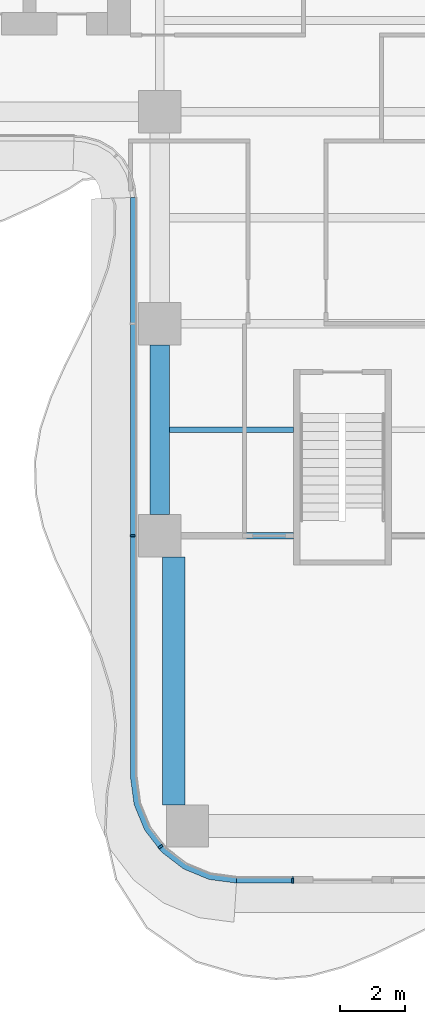
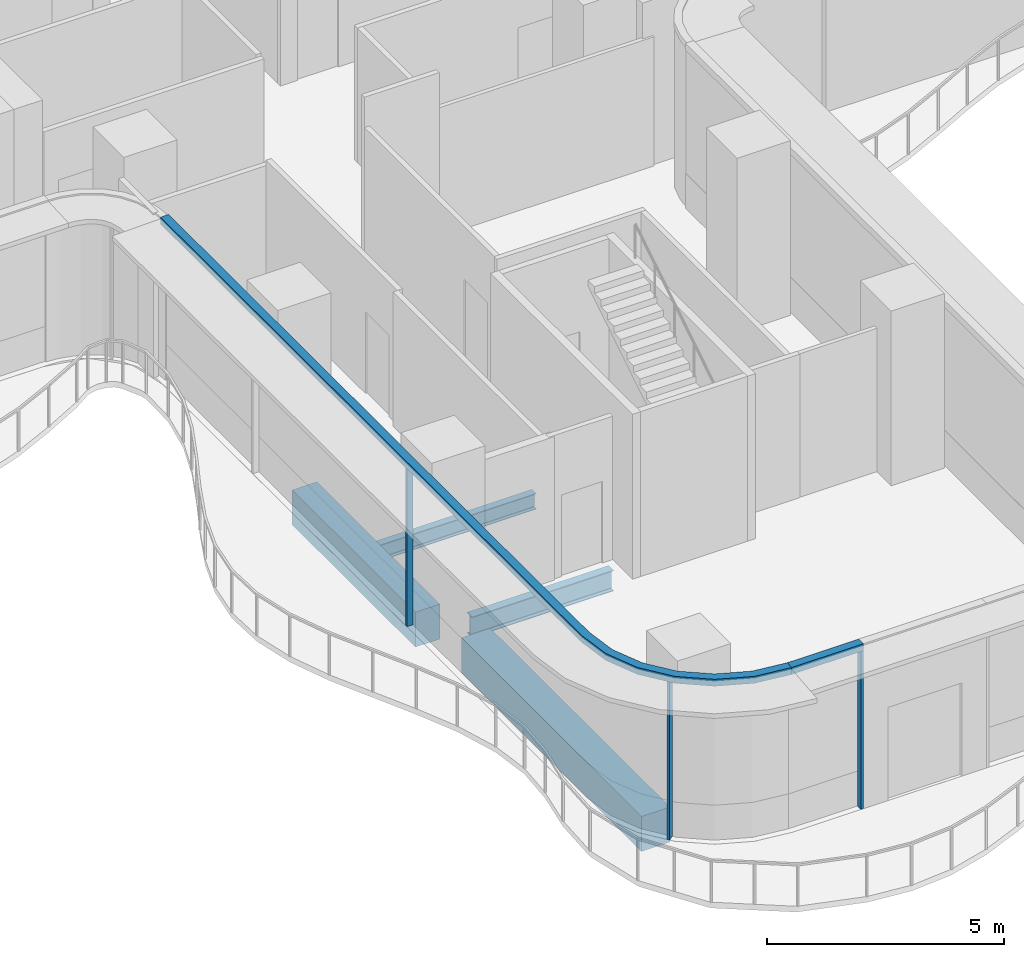
# One storey, part 2 of 21: 5 members, 4 beams, 2 elements without a shape of their own.
"""IFC4 building model written with IfcOpenShell, lengths in metres."""

from ifc_helpers import new_model, si_unit, direction, frame, origin, origin_2d, place, context, subcontext, project, spatial, polyline, rectangle, i_section, outline, extrude, source, transform, mapped, material, layer, layer_set, material_profile, profile_set, type_object, element, aggregate, save


model = new_model("IFC4")

# Units and contexts
model_context = context("Model", 3, precision=1e-05, world=origin(), true_north=direction((0.0, 1.0)))
body_context = subcontext(model_context, "Body", "Model", "MODEL_VIEW")
ifc_project = project(units=[si_unit("LENGTHUNIT", "METRE"), si_unit("AREAUNIT", "SQUARE_METRE"), si_unit("VOLUMEUNIT", "CUBIC_METRE"), si_unit("PLANEANGLEUNIT", "RADIAN"), si_unit("MASSUNIT", "GRAM", prefix="KILO")], contexts=[model_context])

# Site, building, storey
site_placement = place(None, origin())
site = spatial("IfcSite", under=ifc_project, at=site_placement, CompositionType="ELEMENT")
building_placement = place(site_placement, origin())
building = spatial("IfcBuilding", under=site, at=building_placement, Name="Trellis Farm Tower", CompositionType="ELEMENT")
storey_placement = place(building_placement, frame((0.0, 0.0, 102.0)))
storey = spatial("IfcBuildingStorey", under=building, at=storey_placement, Name="L21", CompositionType="ELEMENT", Elevation=102.0)

# Beams
ifc_material_1 = material(Name="Steel S355", Category="steel")
ifc_material_profile_1 = material_profile(ifc_material_1, i_section(OverallWidth=0.177978515625, OverallDepth=0.406494140625, WebThickness=0.0078125, FlangeThickness=0.0126953125, FilletRadius=0.01025390625, at=origin_2d()), Name="UB 406x178x60")
ifc_profile_set_1 = profile_set([ifc_material_profile_1], Name="Steel S355")
beam_type_1 = type_object("IfcBeamType", Name="UB 406x178x60 joist", PredefinedType="JOIST", material=ifc_profile_set_1)
shared_shape_1 = source(origin(), body_context, "Body", "SweptSolid", [
    extrude(i_section(OverallWidth=0.177978515625, OverallDepth=0.406494140625, WebThickness=0.0078125, FlangeThickness=0.0126953125, FilletRadius=0.01025390625, at=origin_2d()), origin(), (0.0, 0.0, 1.0), 3.800048828125),
])
beam_1_placement = place(storey_placement, frame((-5.300048828125, -15.35009765625, -0.453125), z_axis=(1.0, 0.0, 0.0), x_axis=(0.0, 1.0, 0.0)))
element("IfcBeam", 1, at=beam_1_placement, inside=storey, type_object=beam_type_1, Name="Floor beam", PredefinedType="JOIST", context=body_context, shape_type="MappedRepresentation", body=[
    mapped(shared_shape_1, transform((0.0, 0.0, 0.0))),
])
ifc_material_profile_2 = material_profile(ifc_material_1, i_section(OverallWidth=0.209228515625, OverallDepth=0.533203125, WebThickness=0.010009765625, FlangeThickness=0.015625, FilletRadius=0.0126953125, at=origin_2d()), Name="UB 533x210x92")
ifc_profile_set_2 = profile_set([ifc_material_profile_2], Name="Steel S355")
beam_type_2 = type_object("IfcBeamType", Name="UB 533x210x92", PredefinedType="BEAM", material=ifc_profile_set_2)
shared_shape_2 = source(origin(), body_context, "Body", "SweptSolid", [
    extrude(i_section(OverallWidth=0.209228515625, OverallDepth=0.533203125, WebThickness=0.010009765625, FlangeThickness=0.015625, FilletRadius=0.0126953125, at=origin_2d()), origin(), (0.0, 0.0, 1.0), 3.449951171875),
])
beam_2_placement = place(storey_placement, frame((-4.949951171875, -18.60009765625, -0.5166015625), z_axis=(1.0, 0.0, 0.0), x_axis=(0.0, 1.0, 0.0)))
element("IfcBeam", 2, at=beam_2_placement, inside=storey, type_object=beam_type_2, Name="Girder", PredefinedType="BEAM", context=body_context, shape_type="MappedRepresentation", body=[
    mapped(shared_shape_2, transform((0.0, 0.0, 0.0))),
])
ifc_material_2 = material(Name="Concrete C60/75", Category="concrete")
ifc_material_profile_3 = material_profile(ifc_material_2, rectangle(XDim=0.60009765625, YDim=0.89990234375, at=origin_2d()), Name="RC spandrel beam 600x900 C60/75")
ifc_profile_set_3 = profile_set([ifc_material_profile_3], Name="Concrete C60/75")
beam_type_3 = type_object("IfcBeamType", Name="RC spandrel beam 600x900 C60/75", PredefinedType="SPANDREL", material=ifc_profile_set_3)
shared_shape_3 = source(origin(), body_context, "Body", "SweptSolid", [
    extrude(rectangle(XDim=0.60009765625, YDim=0.89990234375, at=origin_2d()), origin(), (0.0, 0.0, 1.0), 5.199951171875),
])
beam_3_placement = place(storey_placement, frame((-5.60009765625, -17.949951171875, -0.699951171875), z_axis=(0.0, 1.0, 0.0), x_axis=(-1.0, 0.0, 0.0)))
element("IfcBeam", 3, at=beam_3_placement, inside=storey, type_object=beam_type_3, Name="Girder", PredefinedType="SPANDREL", context=body_context, shape_type="MappedRepresentation", body=[
    mapped(shared_shape_3, transform((0.0, 0.0, 0.0))),
])
ifc_material_profile_4 = material_profile(ifc_material_2, rectangle(XDim=0.699951171875, YDim=0.89990234375, at=origin_2d()), Name="RC spandrel beam 700x900 C60/75")
ifc_profile_set_4 = profile_set([ifc_material_profile_4], Name="Concrete C60/75")
beam_type_4 = type_object("IfcBeamType", Name="RC spandrel beam 700x900 C60/75", PredefinedType="SPANDREL", material=ifc_profile_set_4)
shared_shape_4 = source(origin(), body_context, "Body", "SweptSolid", [
    extrude(rectangle(XDim=0.699951171875, YDim=0.89990234375, at=origin_2d()), origin(), (0.0, 0.0, 1.0), 7.60009765625),
])
beam_4_placement = place(storey_placement, frame((-5.175048828125, -26.85009765625, -0.699951171875), z_axis=(0.0, 1.0, 0.0), x_axis=(-1.0, 0.0, 0.0)))
element("IfcBeam", 4, at=beam_4_placement, inside=storey, type_object=beam_type_4, Name="Girder", PredefinedType="SPANDREL", context=body_context, shape_type="MappedRepresentation", body=[
    mapped(shared_shape_4, transform((0.0, 0.0, 0.0))),
])

# Curtain wall, members
ifc_material_3 = material(Name="Aluminium and glass curtain wall", Category="aluminium")
ifc_layer_1 = layer(ifc_material_3, 0.18994140625)
ifc_layer_set_1 = layer_set([ifc_layer_1], Name="RIBBON CURTAIN WALL CW1")
curtain_wall_type = type_object("IfcCurtainWallType", Name="RIBBON CURTAIN WALL CW1", PredefinedType="NOTDEFINED", material=ifc_layer_set_1)
placement_1 = place(storey_placement, origin())
curtain_wall_1 = element("IfcCurtainWall", 5, at=placement_1, inside=storey, type_object=curtain_wall_type, Name="CW1 002", PredefinedType="NOTDEFINED")
ifc_material_4 = material(Name="Aluminium extrusion 6063-T6", Category="aluminium")
ifc_material_profile_5 = material_profile(ifc_material_4, rectangle(XDim=0.06005859375, YDim=0.14990234375, at=origin_2d()), Name="MULLION 60x150")
ifc_profile_set_5 = profile_set([ifc_material_profile_5], Name="Aluminium extrusion 6063-T6")
member_type_1 = type_object("IfcMemberType", Name="CW1 MULLION 60x150", PredefinedType="MULLION", material=ifc_profile_set_5)
shared_shape_5 = source(origin(), body_context, "Body", "SweptSolid", [
    extrude(rectangle(XDim=0.06005859375, YDim=0.14990234375, at=origin_2d()), origin(), (0.0, 0.0, 1.0), 4.070068359375),
])
member_1_placement = place(storey_placement, frame((-6.425048828125, -18.60009765625, 0.0), z_axis=(0.0, 0.0, 1.0), x_axis=(0.0, -1.0, 0.0)))
member_1 = element("IfcMember", 6, at=member_1_placement, type_object=member_type_1, Name="MU1 002-02", PredefinedType="MULLION", context=body_context, shape_type="MappedRepresentation", body=[
    mapped(shared_shape_5, transform((0.0, 0.0, 0.0))),
])
member_2_placement = place(storey_placement, frame((-5.578369140625, -28.135498046875, 0.0), z_axis=(0.0, 0.0, 1.0), x_axis=(0.608761429009, -0.793353340291, 0.0)))
member_2 = element("IfcMember", 7, at=member_2_placement, type_object=member_type_1, Name="MU1 002-03", PredefinedType="MULLION", context=body_context, shape_type="MappedRepresentation", body=[
    mapped(shared_shape_5, transform((0.0, 0.0, 0.0))),
])

# Curtain wall, member
curtain_wall_2 = element("IfcCurtainWall", 8, at=placement_1, inside=storey, type_object=curtain_wall_type, Name="CW1 003", PredefinedType="NOTDEFINED")
member_3_placement = place(storey_placement, frame((-1.530029296875, -29.175048828125, 0.0), z_axis=(0.0, 0.0, 1.0), x_axis=(1.0, 0.0, 0.0)))
member_3 = element("IfcMember", 9, at=member_3_placement, type_object=member_type_1, Name="MU1 003-01", PredefinedType="MULLION", context=body_context, shape_type="MappedRepresentation", body=[
    mapped(shared_shape_5, transform((0.0, 0.0, 0.0))),
])

# Member
ifc_layer_2 = layer(ifc_material_4, 0.199951171875)
ifc_layer_set_2 = layer_set([ifc_layer_2], Name="Aluminium extrusion 6063-T6")
member_type_2 = type_object("IfcMemberType", Name="CW1 TRANSOM 200x180", PredefinedType="USERDEFINED", material=ifc_layer_set_2)
shared_shape_6 = source(origin(), body_context, "Body", "SweptSolid", [
    extrude(outline(polyline([(-6.5, -8.2314453125), (-6.5, -26.0), (-6.38916015625, -26.841064453125), (-6.064697265625, -27.625), (-5.548095703125, -28.298095703125), (-4.875, -28.814697265625), (-4.091064453125, -29.13916015625), (-3.25, -29.25), (-3.23681640625, -29.050048828125), (-4.0390625, -28.9443359375), (-4.774169921875, -28.639892578125), (-5.405517578125, -28.155517578125), (-5.889892578125, -27.524169921875), (-6.1943359375, -26.7890625), (-6.300048828125, -25.98681640625), (-6.300048828125, -8.224853515625), (-6.5, -8.2314453125)])), origin(), (0.0, 0.0, 1.0), 0.179931640625),
])
placement_2 = place(storey_placement, frame((0.0, 0.0, 4.070068359375)))
member_4 = element("IfcMember", 10, at=placement_2, type_object=member_type_2, Name="TR1 002", ObjectType="TRANSOM", PredefinedType="USERDEFINED", context=body_context, shape_type="MappedRepresentation", body=[
    mapped(shared_shape_6, transform((0.0, 0.0, 0.0))),
])

aggregate(curtain_wall_1, [member_1, member_2, member_4])

shared_shape_7 = source(origin(), body_context, "Body", "SweptSolid", [
    extrude(outline(polyline([(-3.25, -29.25), (-1.5, -29.25), (-1.5, -29.050048828125), (-3.23681640625, -29.050048828125), (-3.25, -29.25)])), origin(), (0.0, 0.0, 1.0), 0.179931640625),
])
member_5 = element("IfcMember", 11, at=placement_2, type_object=member_type_2, Name="TR1 003", ObjectType="TRANSOM", PredefinedType="USERDEFINED", context=body_context, shape_type="MappedRepresentation", body=[
    mapped(shared_shape_7, transform((0.0, 0.0, 0.0))),
])

aggregate(curtain_wall_2, [member_3, member_5])

save(model, "model.ifc")
